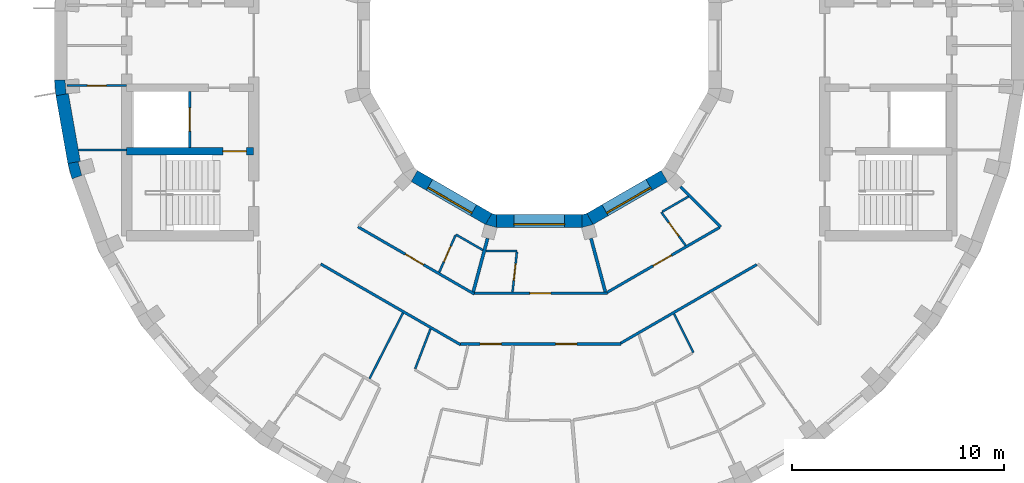
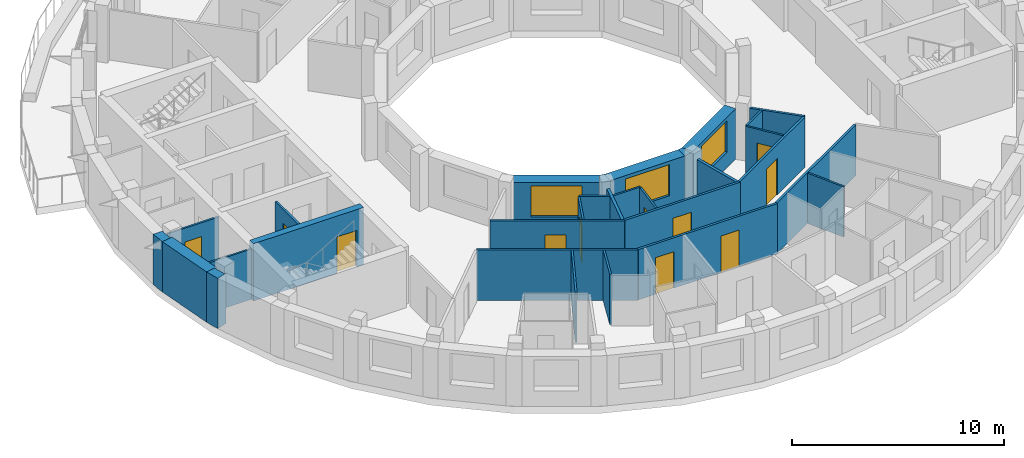
# One storey, part 5 of 12: 30 walls, 11 doors, 3 windows, 14 openings.
"""IFC4 building model written with IfcOpenShell, lengths in metres."""

from ifc_helpers import new_model, si_unit, direction, frame, frame_2d, origin, place, context, subcontext, project, spatial, polyline, rectangle, outline, extrude, material, layer, layer_set, type_object, element, fill, save


model = new_model("IFC4")

# Units and contexts
model_context = context("Model", 3, precision=1e-05, world=origin(), true_north=direction((0.0, 1.0)))
body_context = subcontext(model_context, "Body", "Model", "MODEL_VIEW")
ifc_project = project(units=[si_unit("LENGTHUNIT", "METRE"), si_unit("AREAUNIT", "SQUARE_METRE"), si_unit("VOLUMEUNIT", "CUBIC_METRE"), si_unit("PLANEANGLEUNIT", "RADIAN"), si_unit("MASSUNIT", "GRAM", prefix="KILO")], contexts=[model_context])

# Site, building, storey
site_placement = place(None, origin())
site = spatial("IfcSite", under=ifc_project, at=site_placement, CompositionType="ELEMENT")
building_placement = place(site_placement, origin())
building = spatial("IfcBuilding", under=site, at=building_placement, Name="Saqina Gate Tower", CompositionType="ELEMENT")
storey_placement = place(building_placement, frame((0.0, 0.0, 236.300048828125)))
storey = spatial("IfcBuildingStorey", under=building, at=storey_placement, Name="L67", CompositionType="ELEMENT", Elevation=236.300048828125)

# Walls
ifc_material_1 = material(Name="Brick masonry (buff)", Category="masonry")
wall_type_1 = type_object("IfcWallType", Name="BRICK PIER COPING BUFF", PredefinedType="SOLIDWALL", material=ifc_material_1)
wall_1_placement = place(storey_placement, origin())
element("IfcWall", 1, at=wall_1_placement, inside=storey, type_object=wall_type_1, Name="Pier cap L67 column 19", PredefinedType="SOLIDWALL", context=body_context, shape_type="SweptSolid", body=[
    extrude(outline(polyline([(-22.91259765625, -1.625732421875), (-22.8466796875, -2.377685546875), (-22.255859375, -2.2734375), (-22.361083984375, -2.28271484375), (-22.417724609375, -1.635009765625), (-22.3125, -1.625732421875), (-22.91259765625, -1.625732421875)])), origin(), (0.0, 0.0, 1.0), 2.89990234375),
])
wall_2_placement = place(storey_placement, origin())
element("IfcWall", 2, at=wall_2_placement, inside=storey, type_object=wall_type_1, Name="Pier cap L67 column 20", PredefinedType="SOLIDWALL", context=body_context, shape_type="SweptSolid", body=[
    extrude(outline(polyline([(-22.0869140625, -6.30859375), (-21.52294921875, -6.103515625), (-21.625, -6.130859375), (-21.793212890625, -5.5029296875), (-21.691162109375, -5.4755859375), (-22.281982421875, -5.579833984375), (-22.0869140625, -6.30859375)])), origin(), (0.0, 0.0, 1.0), 2.89990234375),
])
ifc_material_2 = material(Name="Gypsum board on steel studs", Category="steel")
ifc_layer_1 = layer(ifc_material_2, 0.10009765625)
ifc_layer_set_1 = layer_set([ifc_layer_1], Name="CORE PARTITION")
wall_type_2 = type_object("IfcWallType", Name="CORE PARTITION", PredefinedType="PARTITIONING", material=ifc_layer_set_1)
wall_3_placement = place(storey_placement, frame((-19.5, -4.949951171875, 0.0), z_axis=(0.0, 0.0, 1.0), x_axis=(-1.0, 0.0, 0.0)))
element("IfcWall", 3, at=wall_3_placement, inside=storey, type_object=wall_type_2, Name="L67-CP-W04", PredefinedType="PARTITIONING", context=body_context, shape_type="SweptSolid", body=[
    extrude(rectangle(XDim=2.283935546875, YDim=0.10009765625, at=frame_2d((1.14208984375, 0.0))), origin(), (0.0, 0.0, 1.0), 2.89990234375),
])

# Wall, opening, door
wall_4_placement = place(storey_placement, frame((-19.5, -1.89990234375, 0.0), z_axis=(0.0, 0.0, 1.0), x_axis=(-1.0, 0.0, 0.0)))
wall_4 = element("IfcWall", 4, at=wall_4_placement, inside=storey, type_object=wall_type_2, Name="L67-CP-W05", PredefinedType="PARTITIONING", context=body_context, shape_type="SweptSolid", body=[
    extrude(rectangle(XDim=2.8125, YDim=0.10009765625, at=frame_2d((1.40625, 0.0))), origin(), (0.0, 0.0, 1.0), 2.89990234375),
])
opening_1_placement = place(wall_4_placement, frame((0.956298828125, 0.0, 0.0)))
opening_1 = element("IfcOpeningElement", 5, at=opening_1_placement, cuts=wall_4, Name="Opening G19-D105", PredefinedType="OPENING", context=body_context, shape_type="SweptSolid", body=[
    extrude(rectangle(XDim=0.89990234375, YDim=2.10009765625, at=frame_2d((0.449951171875, 1.050048828125))), frame((0.0, 0.06201171875, 0.0), z_axis=(0.0, -1.0, 0.0), x_axis=(1.0, 0.0, 0.0)), (0.0, 0.0, 1.0), 0.1240234375),
])
ifc_material_3 = material(Name="Steel-framed fire door leaf, EI 60", Category="steel")
door_type_1 = type_object("IfcDoorType", Name="SERVICE ROOM DOOR 900", OperationType="SINGLE_SWING_LEFT", PredefinedType="DOOR", material=ifc_material_3)
door_1_placement = place(opening_1_placement, origin())
door_1 = element("IfcDoor", 6, at=door_1_placement, inside=storey, type_object=door_type_1, Name="L67-CD-W16", OperationType="SINGLE_SWING_RIGHT", OverallHeight=2.10009765625, OverallWidth=0.89990234375, PredefinedType="DOOR", context=body_context, shape_type="SweptSolid", body=[
    extrude(rectangle(XDim=0.89990234375, YDim=2.10009765625, at=frame_2d((0.449951171875, 1.050048828125))), frame((0.0, 0.02490234375, 0.0), z_axis=(0.0, -1.0, 0.0), x_axis=(1.0, 0.0, 0.0)), (0.0, 0.0, 1.0), 0.050048828125),
])
fill(opening_1, door_1)

# Wall
ifc_material_4 = material(Name="Glazed ceramic tile (dark blue)", Category="ceramic")
ifc_layer_2 = layer(ifc_material_4, 0.60009765625)
ifc_layer_set_2 = layer_set([ifc_layer_2], Name="FW-TILE-CB")
wall_type_3 = type_object("IfcWallType", Name="FW-TILE-CB", PredefinedType="SOLIDWALL", material=ifc_layer_set_2)
wall_5_placement = place(storey_placement, frame((-22.55126953125, -2.325439453125, 0.0), z_axis=(0.0, 0.0, 1.0), x_axis=(0.173656842178, -0.984806225186, 0.0)))
element("IfcWall", 7, at=wall_5_placement, inside=storey, type_object=wall_type_3, Name="Facade wall L67 facet 19", PredefinedType="SOLIDWALL", context=body_context, shape_type="SweptSolid", body=[
    extrude(rectangle(XDim=3.251708984375, YDim=0.60009765625, at=frame_2d((1.6259765625, 0.0))), origin(), (0.0, 0.0, 1.0), 2.89990234375),
])

# Wall, opening, window
ifc_material_5 = material(Name="Glazed ceramic tile", Category="ceramic")
ifc_layer_3 = layer(ifc_material_5, 0.60009765625)
ifc_layer_set_3 = layer_set([ifc_layer_3], Name="IW-TILE")
wall_type_4 = type_object("IfcWallType", Name="IW-TILE", PredefinedType="SOLIDWALL", material=ifc_layer_set_3)
wall_6_placement = place(storey_placement, frame((-5.907470703125, -6.17333984375, 0.0), z_axis=(0.0, 0.0, 1.0), x_axis=(0.866028316509, -0.499994954979, 0.0)))
wall_6 = element("IfcWall", 8, at=wall_6_placement, inside=storey, type_object=wall_type_4, Name="Well wall L67 facet 8", PredefinedType="SOLIDWALL", context=body_context, shape_type="SweptSolid", body=[
    extrude(rectangle(XDim=4.05859375, YDim=0.60009765625, at=frame_2d((2.029296875, 0.0))), origin(), (0.0, 0.0, 1.0), 2.89990234375),
])
opening_2_placement = place(wall_6_placement, frame((0.829345703125, 0.0, 0.89990234375)))
opening_2 = element("IfcOpeningElement", 9, at=opening_2_placement, cuts=wall_6, Name="Opening G19-W30", PredefinedType="OPENING", context=body_context, shape_type="SweptSolid", body=[
    extrude(rectangle(XDim=2.39990234375, YDim=1.800048828125, at=frame_2d((1.199951171875, 0.89990234375))), frame((0.0, 0.31201171875, 0.0), z_axis=(0.0, -1.0, 0.0), x_axis=(1.0, 0.0, 0.0)), (0.0, 0.0, 1.0), 0.6240234375),
])
ifc_material_6 = material(Name="Aluminium glazing", Category="aluminium")
window_type = type_object("IfcWindowType", Name="WN-W", PartitioningType="SINGLE_PANEL", PredefinedType="WINDOW", material=ifc_material_6)
window_1_placement = place(opening_2_placement, origin())
window_1 = element("IfcWindow", 10, at=window_1_placement, inside=storey, type_object=window_type, Name="Well window L67 facet 8", OverallHeight=1.800048828125, OverallWidth=2.39990234375, PartitioningType="SINGLE_PANEL", PredefinedType="WINDOW", context=body_context, shape_type="SweptSolid", body=[
    extrude(rectangle(XDim=2.39990234375, YDim=1.800048828125, at=frame_2d((1.199951171875, 0.89990234375))), frame((0.0, -0.119873046875, 0.0), z_axis=(0.0, -1.0, 0.0), x_axis=(1.0, 0.0, 0.0)), (0.0, 0.0, 1.0), 0.06005859375),
])
fill(opening_2, window_1)

wall_7_placement = place(storey_placement, frame((-2.029296875, -8.300048828125, 0.0), z_axis=(0.0, 0.0, 1.0), x_axis=(1.0, 0.0, 0.0)))
wall_7 = element("IfcWall", 11, at=wall_7_placement, inside=storey, type_object=wall_type_4, Name="Well wall L67 facet 9", PredefinedType="SOLIDWALL", context=body_context, shape_type="SweptSolid", body=[
    extrude(rectangle(XDim=4.05859375, YDim=0.60009765625, at=frame_2d((2.029296875, 0.0))), origin(), (0.0, 0.0, 1.0), 2.89990234375),
])
opening_3_placement = place(wall_7_placement, frame((0.829345703125, 0.0, 0.89990234375)))
opening_3 = element("IfcOpeningElement", 12, at=opening_3_placement, cuts=wall_7, Name="Opening G19-W31", PredefinedType="OPENING", context=body_context, shape_type="SweptSolid", body=[
    extrude(rectangle(XDim=2.39990234375, YDim=1.800048828125, at=frame_2d((1.199951171875, 0.89990234375))), frame((0.0, 0.31201171875, 0.0), z_axis=(0.0, -1.0, 0.0), x_axis=(1.0, 0.0, 0.0)), (0.0, 0.0, 1.0), 0.6240234375),
])
window_2_placement = place(opening_3_placement, origin())
window_2 = element("IfcWindow", 13, at=window_2_placement, inside=storey, type_object=window_type, Name="Well window L67 facet 9", OverallHeight=1.800048828125, OverallWidth=2.39990234375, PartitioningType="SINGLE_PANEL", PredefinedType="WINDOW", context=body_context, shape_type="SweptSolid", body=[
    extrude(rectangle(XDim=2.39990234375, YDim=1.800048828125, at=frame_2d((1.199951171875, 0.89990234375))), frame((0.0, -0.119873046875, 0.0), z_axis=(0.0, -1.0, 0.0), x_axis=(1.0, 0.0, 0.0)), (0.0, 0.0, 1.0), 0.06005859375),
])
fill(opening_3, window_2)

wall_8_placement = place(storey_placement, frame((2.392578125, -8.20263671875, 0.0), z_axis=(0.0, 0.0, 1.0), x_axis=(0.866028316509, 0.499994954979, 0.0)))
wall_8 = element("IfcWall", 14, at=wall_8_placement, inside=storey, type_object=wall_type_4, Name="Well wall L67 facet 10", PredefinedType="SOLIDWALL", context=body_context, shape_type="SweptSolid", body=[
    extrude(rectangle(XDim=4.05859375, YDim=0.60009765625, at=frame_2d((2.029296875, 0.0))), origin(), (0.0, 0.0, 1.0), 2.89990234375),
])
opening_4_placement = place(wall_8_placement, frame((0.829345703125, 0.0, 0.89990234375)))
opening_4 = element("IfcOpeningElement", 15, at=opening_4_placement, cuts=wall_8, Name="Opening G19-W32", PredefinedType="OPENING", context=body_context, shape_type="SweptSolid", body=[
    extrude(rectangle(XDim=2.39990234375, YDim=1.800048828125, at=frame_2d((1.199951171875, 0.89990234375))), frame((0.0, 0.31201171875, 0.0), z_axis=(0.0, -1.0, 0.0), x_axis=(1.0, 0.0, 0.0)), (0.0, 0.0, 1.0), 0.6240234375),
])
window_3_placement = place(opening_4_placement, origin())
window_3 = element("IfcWindow", 16, at=window_3_placement, inside=storey, type_object=window_type, Name="Well window L67 facet 10", OverallHeight=1.800048828125, OverallWidth=2.39990234375, PartitioningType="SINGLE_PANEL", PredefinedType="WINDOW", context=body_context, shape_type="SweptSolid", body=[
    extrude(rectangle(XDim=2.39990234375, YDim=1.800048828125, at=frame_2d((1.199951171875, 0.89990234375))), frame((0.0, -0.119873046875, 0.0), z_axis=(0.0, -1.0, 0.0), x_axis=(1.0, 0.0, 0.0)), (0.0, 0.0, 1.0), 0.06005859375),
])
fill(opening_4, window_3)

# Wall
ifc_material_7 = material(Name="Gypsum board on steel studs, 100 mm", Category="steel")
ifc_layer_4 = layer(ifc_material_7, 0.10009765625)
ifc_layer_set_4 = layer_set([ifc_layer_4], Name="PARTITION 100")
wall_type_5 = type_object("IfcWallType", Name="PARTITION 100", PredefinedType="PARTITIONING", material=ifc_layer_set_4)
wall_9_placement = place(storey_placement, frame((6.369140625, -12.687744140625, 0.0), z_axis=(0.0, 0.0, 1.0), x_axis=(0.448648311547, -0.893708393463, 0.0)))
element("IfcWall", 17, at=wall_9_placement, inside=storey, type_object=wall_type_5, Name="PARTITION PW3-07", PredefinedType="PARTITIONING", context=body_context, shape_type="SweptSolid", body=[
    extrude(rectangle(XDim=2.041259765625, YDim=0.10009765625, at=frame_2d((1.0205078125, 0.0))), origin(), (0.0, 0.0, 1.0), 2.89990234375),
])

# Wall, opening, door
wall_10_placement = place(storey_placement, frame((5.76708984375, -7.882080078125, 0.0), z_axis=(0.0, 0.0, 1.0), x_axis=(0.590418468895, -0.807097287561, 0.0)))
wall_10 = element("IfcWall", 18, at=wall_10_placement, inside=storey, type_object=wall_type_5, Name="PARTITION PW3-11", PredefinedType="PARTITIONING", context=body_context, shape_type="SweptSolid", body=[
    extrude(rectangle(XDim=1.94921875, YDim=0.10009765625, at=frame_2d((0.974609375, 0.0))), origin(), (0.0, 0.0, 1.0), 2.89990234375),
])
opening_5_placement = place(wall_10_placement, frame((0.606201171875, 0.0, 0.0)))
opening_5 = element("IfcOpeningElement", 19, at=opening_5_placement, cuts=wall_10, Name="Opening G19-D44", PredefinedType="OPENING", context=body_context, shape_type="SweptSolid", body=[
    extrude(rectangle(XDim=0.800048828125, YDim=2.10009765625, at=frame_2d((0.39990234375, 1.050048828125))), frame((0.0, 0.06201171875, 0.0), z_axis=(0.0, -1.0, 0.0), x_axis=(1.0, 0.0, 0.0)), (0.0, 0.0, 1.0), 0.1240234375),
])
ifc_material_8 = material(Name="Timber door leaf, 800 mm", Category="wood")
door_type_2 = type_object("IfcDoorType", Name="DOOR 800 TIMBER", OperationType="SINGLE_SWING_LEFT", PredefinedType="DOOR", material=ifc_material_8)
door_2_placement = place(opening_5_placement, frame((0.800048828125, 0.0, 0.0), z_axis=(0.0, 0.0, 1.0), x_axis=(-1.0, 0.0, 0.0)))
door_2 = element("IfcDoor", 20, at=door_2_placement, inside=storey, type_object=door_type_2, Name="DOOR G19-D44", OperationType="SINGLE_SWING_LEFT", OverallHeight=2.10009765625, OverallWidth=0.800048828125, PredefinedType="DOOR", context=body_context, shape_type="SweptSolid", body=[
    extrude(rectangle(XDim=0.800048828125, YDim=2.10009765625, at=frame_2d((0.39990234375, 1.050048828125))), frame((0.0, 0.02490234375, 0.0), z_axis=(0.0, -1.0, 0.0), x_axis=(1.0, 0.0, 0.0)), (0.0, 0.0, 1.0), 0.050048828125),
])
fill(opening_5, door_2)

# Walls
wall_11_placement = place(storey_placement, frame((-3.943115234375, -8.93603515625, 0.0), z_axis=(0.0, 0.0, 1.0), x_axis=(0.866083503307, -0.499899355171, 0.0)))
element("IfcWall", 21, at=wall_11_placement, inside=storey, type_object=wall_type_5, Name="PARTITION PW3-16", PredefinedType="PARTITIONING", context=body_context, shape_type="SweptSolid", body=[
    extrude(rectangle(XDim=1.473388671875, YDim=0.10009765625, at=frame_2d((0.73681640625, 0.0))), origin(), (0.0, 0.0, 1.0), 2.89990234375),
])
wall_12_placement = place(storey_placement, frame((-2.527099609375, -9.7099609375, 0.0), z_axis=(0.0, 0.0, 1.0), x_axis=(1.0, 0.0, 0.0)))
element("IfcWall", 22, at=wall_12_placement, inside=storey, type_object=wall_type_5, Name="PARTITION PW3-26", PredefinedType="PARTITIONING", context=body_context, shape_type="SweptSolid", body=[
    extrude(rectangle(XDim=1.47314453125, YDim=0.10009765625, at=frame_2d((0.736572265625, 0.0))), origin(), (0.0, 0.0, 1.0), 2.89990234375),
])
wall_13_placement = place(storey_placement, frame((5.810302734375, -7.85693359375, 0.0), z_axis=(0.0, 0.0, 1.0), x_axis=(0.866100656052, 0.499869636591, 0.0)))
element("IfcWall", 23, at=wall_13_placement, inside=storey, type_object=wall_type_5, Name="PARTITION PW3-36", PredefinedType="PARTITIONING", context=body_context, shape_type="SweptSolid", body=[
    extrude(rectangle(XDim=1.43603515625, YDim=0.10009765625, at=frame_2d((0.718017578125, 0.0))), origin(), (0.0, 0.0, 1.0), 2.89990234375),
])
wall_14_placement = place(storey_placement, frame((-8.023681640625, -15.747314453125, 0.0), z_axis=(0.0, 0.0, 1.0), x_axis=(0.453766079843, 0.891120836242, 0.0)))
element("IfcWall", 24, at=wall_14_placement, inside=storey, type_object=wall_type_5, Name="PARTITION PW3-43", PredefinedType="PARTITIONING", context=body_context, shape_type="SweptSolid", body=[
    extrude(rectangle(XDim=3.48095703125, YDim=0.10009765625, at=frame_2d((1.740478515625, 0.0))), origin(), (0.0, 0.0, 1.0), 2.89990234375),
])

# Wall, opening, door
wall_15_placement = place(storey_placement, frame((-4.729736328125, -10.71875, 0.0), z_axis=(0.0, 0.0, 1.0), x_axis=(0.403751002976, 0.914868912794, 0.0)))
wall_15 = element("IfcWall", 25, at=wall_15_placement, inside=storey, type_object=wall_type_5, Name="PARTITION PW3-45", PredefinedType="PARTITIONING", context=body_context, shape_type="SweptSolid", body=[
    extrude(rectangle(XDim=1.898681640625, YDim=0.10009765625, at=frame_2d((0.94921875, 0.0))), origin(), (0.0, 0.0, 1.0), 2.89990234375),
])
opening_6_placement = place(wall_15_placement, frame((0.543212890625, 0.0, 0.0)))
opening_6 = element("IfcOpeningElement", 26, at=opening_6_placement, cuts=wall_15, Name="Opening G19-D27", PredefinedType="OPENING", context=body_context, shape_type="SweptSolid", body=[
    extrude(rectangle(XDim=0.800048828125, YDim=2.10009765625, at=frame_2d((0.39990234375, 1.050048828125))), frame((0.0, 0.06201171875, 0.0), z_axis=(0.0, -1.0, 0.0), x_axis=(1.0, 0.0, 0.0)), (0.0, 0.0, 1.0), 0.1240234375),
])
door_3_placement = place(opening_6_placement, origin())
door_3 = element("IfcDoor", 27, at=door_3_placement, inside=storey, type_object=door_type_2, Name="DOOR G19-D27", OperationType="SINGLE_SWING_LEFT", OverallHeight=2.10009765625, OverallWidth=0.800048828125, PredefinedType="DOOR", context=body_context, shape_type="SweptSolid", body=[
    extrude(rectangle(XDim=0.800048828125, YDim=2.10009765625, at=frame_2d((0.39990234375, 1.050048828125))), frame((0.0, 0.02490234375, 0.0), z_axis=(0.0, -1.0, 0.0), x_axis=(1.0, 0.0, 0.0)), (0.0, 0.0, 1.0), 0.050048828125),
])
fill(opening_6, door_3)

# Wall
wall_16_placement = place(storey_placement, frame((-5.86474609375, -15.275146484375, 0.0), z_axis=(0.0, 0.0, 1.0), x_axis=(0.358857215778, 0.93339246766, 0.0)))
element("IfcWall", 28, at=wall_16_placement, inside=storey, type_object=wall_type_5, Name="PARTITION PW3-46", PredefinedType="PARTITIONING", context=body_context, shape_type="SweptSolid", body=[
    extrude(rectangle(XDim=2.013671875, YDim=0.10009765625, at=frame_2d((1.0068359375, 0.0))), origin(), (0.0, 0.0, 1.0), 2.89990234375),
])

# Wall, opening, door
wall_17_placement = place(storey_placement, frame((-1.26416015625, -11.64794921875, 0.0), z_axis=(0.0, 0.0, 1.0), x_axis=(0.107849279517, 0.994167256003, 0.0)))
wall_17 = element("IfcWall", 29, at=wall_17_placement, inside=storey, type_object=wall_type_5, Name="PARTITION PW3-53", PredefinedType="PARTITIONING", context=body_context, shape_type="SweptSolid", body=[
    extrude(rectangle(XDim=1.899169921875, YDim=0.10009765625, at=frame_2d((0.94970703125, 0.0))), origin(), (0.0, 0.0, 1.0), 2.89990234375),
])
opening_7_placement = place(wall_17_placement, frame((0.54345703125, 0.0, 0.0)))
opening_7 = element("IfcOpeningElement", 30, at=opening_7_placement, cuts=wall_17, Name="Opening G19-D32", PredefinedType="OPENING", context=body_context, shape_type="SweptSolid", body=[
    extrude(rectangle(XDim=0.800048828125, YDim=2.10009765625, at=frame_2d((0.39990234375, 1.050048828125))), frame((0.0, 0.06201171875, 0.0), z_axis=(0.0, -1.0, 0.0), x_axis=(1.0, 0.0, 0.0)), (0.0, 0.0, 1.0), 0.1240234375),
])
door_4_placement = place(opening_7_placement, frame((0.800048828125, 0.0, 0.0), z_axis=(0.0, 0.0, 1.0), x_axis=(-1.0, 0.0, 0.0)))
door_4 = element("IfcDoor", 31, at=door_4_placement, inside=storey, type_object=door_type_2, Name="DOOR G19-D32", OperationType="SINGLE_SWING_RIGHT", OverallHeight=2.10009765625, OverallWidth=0.800048828125, PredefinedType="DOOR", context=body_context, shape_type="SweptSolid", body=[
    extrude(rectangle(XDim=0.800048828125, YDim=2.10009765625, at=frame_2d((0.39990234375, 1.050048828125))), frame((0.0, 0.02490234375, 0.0), z_axis=(0.0, -1.0, 0.0), x_axis=(1.0, 0.0, 0.0)), (0.0, 0.0, 1.0), 0.050048828125),
])
fill(opening_7, door_4)

# Walls
ifc_material_9 = material(Name="Gypsum board on steel studs, 125 mm, fire rated", Category="steel")
ifc_layer_5 = layer(ifc_material_9, 0.125)
ifc_layer_set_5 = layer_set([ifc_layer_5], Name="PARTITION EI 30 125")
wall_type_6 = type_object("IfcWallType", Name="PARTITION EI 30 125", PredefinedType="PARTITIONING", material=ifc_layer_set_5)
wall_18_placement = place(storey_placement, frame((6.6767578125, -6.6767578125, 0.0), z_axis=(0.0, 0.0, 1.0), x_axis=(0.707106781187, -0.707106781187, 0.0)))
element("IfcWall", 32, at=wall_18_placement, inside=storey, type_object=wall_type_6, Name="PARTITION PW1-06", PredefinedType="PARTITIONING", context=body_context, shape_type="SweptSolid", body=[
    extrude(rectangle(XDim=2.680419921875, YDim=0.125, at=frame_2d((1.34033203125, 0.0))), origin(), (0.0, 0.0, 1.0), 2.89990234375),
])
wall_19_placement = place(storey_placement, frame((-10.3291015625, -10.3291015625, 0.0), z_axis=(0.0, 0.0, 1.0), x_axis=(0.866010352672, -0.500026068385, 0.0)))
element("IfcWall", 33, at=wall_19_placement, inside=storey, type_object=wall_type_6, Name="PARTITION PW1-09", PredefinedType="PARTITIONING", context=body_context, shape_type="SweptSolid", body=[
    extrude(rectangle(XDim=7.63330078125, YDim=0.125, at=frame_2d((3.816650390625, 0.0))), origin(), (0.0, 0.0, 1.0), 2.89990234375),
])

# Wall, opening, door
wall_20_placement = place(storey_placement, frame((-8.572021484375, -8.572021484375, 0.0), z_axis=(0.0, 0.0, 1.0), x_axis=(0.865983161714, -0.500073158277, 0.0)))
wall_20 = element("IfcWall", 34, at=wall_20_placement, inside=storey, type_object=wall_type_6, Name="PARTITION PW1-10", PredefinedType="PARTITIONING", context=body_context, shape_type="SweptSolid", body=[
    extrude(rectangle(XDim=6.34716796875, YDim=0.125, at=frame_2d((3.173583984375, 0.0))), origin(), (0.0, 0.0, 1.0), 2.89990234375),
])
opening_8_placement = place(wall_20_placement, frame((2.586669921875, 0.0, 0.0)))
opening_8 = element("IfcOpeningElement", 35, at=opening_8_placement, cuts=wall_20, Name="Opening G19-D26", PredefinedType="OPENING", context=body_context, shape_type="SweptSolid", body=[
    extrude(rectangle(XDim=1.0, YDim=2.10009765625, at=frame_2d((0.5, 1.050048828125))), frame((0.0, 0.074462890625, 0.0), z_axis=(0.0, -1.0, 0.0), x_axis=(1.0, 0.0, 0.0)), (0.0, 0.0, 1.0), 0.14892578125),
])
ifc_material_10 = material(Name="Fire door leaf EI 30, 1000 mm")
door_type_3 = type_object("IfcDoorType", Name="DOOR 1000 EI 30", OperationType="SINGLE_SWING_LEFT", PredefinedType="DOOR", material=ifc_material_10)
door_5_placement = place(opening_8_placement, origin())
door_5 = element("IfcDoor", 36, at=door_5_placement, inside=storey, type_object=door_type_3, Name="DOOR G19-D26", OperationType="SINGLE_SWING_LEFT", OverallHeight=2.10009765625, OverallWidth=1.0, PredefinedType="DOOR", context=body_context, shape_type="SweptSolid", body=[
    extrude(rectangle(XDim=1.0, YDim=2.10009765625, at=frame_2d((0.5, 1.050048828125))), frame((0.0, 0.02490234375, 0.0), z_axis=(0.0, -1.0, 0.0), x_axis=(1.0, 0.0, 0.0)), (0.0, 0.0, 1.0), 0.050048828125),
])
fill(opening_8, door_5)

# Wall, openings, doors
wall_21_placement = place(storey_placement, frame((-3.718505859375, -14.110107421875, 0.0), z_axis=(0.0, 0.0, 1.0), x_axis=(1.0, 0.0, 0.0)))
wall_21 = element("IfcWall", 37, at=wall_21_placement, inside=storey, type_object=wall_type_6, Name="PARTITION PW1-17", PredefinedType="PARTITIONING", context=body_context, shape_type="SweptSolid", body=[
    extrude(rectangle(XDim=7.57177734375, YDim=0.125, at=frame_2d((3.785888671875, 0.0))), origin(), (0.0, 0.0, 1.0), 2.89990234375),
])
opening_9_placement = place(wall_21_placement, frame((0.926025390625, 0.0, 0.0)))
opening_9 = element("IfcOpeningElement", 38, at=opening_9_placement, cuts=wall_21, Name="Opening G19-D31", PredefinedType="OPENING", context=body_context, shape_type="SweptSolid", body=[
    extrude(rectangle(XDim=1.0, YDim=2.10009765625, at=frame_2d((0.5, 1.050048828125))), frame((0.0, 0.074462890625, 0.0), z_axis=(0.0, -1.0, 0.0), x_axis=(1.0, 0.0, 0.0)), (0.0, 0.0, 1.0), 0.14892578125),
])
opening_10_placement = place(wall_21_placement, frame((4.491943359375, 0.0, 0.0)))
opening_10 = element("IfcOpeningElement", 39, at=opening_10_placement, cuts=wall_21, Name="Opening G19-D36", PredefinedType="OPENING", context=body_context, shape_type="SweptSolid", body=[
    extrude(rectangle(XDim=1.0, YDim=2.10009765625, at=frame_2d((0.5, 1.050048828125))), frame((0.0, 0.074462890625, 0.0), z_axis=(0.0, -1.0, 0.0), x_axis=(1.0, 0.0, 0.0)), (0.0, 0.0, 1.0), 0.14892578125),
])
door_6_placement = place(opening_9_placement, frame((1.0, 0.0, 0.0), z_axis=(0.0, 0.0, 1.0), x_axis=(-1.0, 0.0, 0.0)))
door_6 = element("IfcDoor", 40, at=door_6_placement, inside=storey, type_object=door_type_3, Name="DOOR G19-D31", OperationType="SINGLE_SWING_LEFT", OverallHeight=2.10009765625, OverallWidth=1.0, PredefinedType="DOOR", context=body_context, shape_type="SweptSolid", body=[
    extrude(rectangle(XDim=1.0, YDim=2.10009765625, at=frame_2d((0.5, 1.050048828125))), frame((0.0, 0.02490234375, 0.0), z_axis=(0.0, -1.0, 0.0), x_axis=(1.0, 0.0, 0.0)), (0.0, 0.0, 1.0), 0.050048828125),
])
fill(opening_9, door_6)
door_7_placement = place(opening_10_placement, frame((1.0, 0.0, 0.0), z_axis=(0.0, 0.0, 1.0), x_axis=(-1.0, 0.0, 0.0)))
door_7 = element("IfcDoor", 41, at=door_7_placement, inside=storey, type_object=door_type_3, Name="DOOR G19-D36", OperationType="SINGLE_SWING_LEFT", OverallHeight=2.10009765625, OverallWidth=1.0, PredefinedType="DOOR", context=body_context, shape_type="SweptSolid", body=[
    extrude(rectangle(XDim=1.0, YDim=2.10009765625, at=frame_2d((0.5, 1.050048828125))), frame((0.0, 0.02490234375, 0.0), z_axis=(0.0, -1.0, 0.0), x_axis=(1.0, 0.0, 0.0)), (0.0, 0.0, 1.0), 0.050048828125),
])
fill(opening_10, door_7)

# Wall, opening, door
wall_22_placement = place(storey_placement, frame((-3.075439453125, -11.7099609375, 0.0), z_axis=(0.0, 0.0, 1.0), x_axis=(1.0, 0.0, 0.0)))
wall_22 = element("IfcWall", 42, at=wall_22_placement, inside=storey, type_object=wall_type_6, Name="PARTITION PW1-18", PredefinedType="PARTITIONING", context=body_context, shape_type="SweptSolid", body=[
    extrude(rectangle(XDim=6.300048828125, YDim=0.125, at=frame_2d((3.14990234375, 0.0))), origin(), (0.0, 0.0, 1.0), 2.89990234375),
])
opening_11_placement = place(wall_22_placement, frame((2.6259765625, 0.0, 0.0)))
opening_11 = element("IfcOpeningElement", 43, at=opening_11_placement, cuts=wall_22, Name="Opening G19-D35", PredefinedType="OPENING", context=body_context, shape_type="SweptSolid", body=[
    extrude(rectangle(XDim=1.0, YDim=2.10009765625, at=frame_2d((0.5, 1.050048828125))), frame((0.0, 0.074462890625, 0.0), z_axis=(0.0, -1.0, 0.0), x_axis=(1.0, 0.0, 0.0)), (0.0, 0.0, 1.0), 0.14892578125),
])
door_8_placement = place(opening_11_placement, origin())
door_8 = element("IfcDoor", 44, at=door_8_placement, inside=storey, type_object=door_type_3, Name="DOOR G19-D35", OperationType="SINGLE_SWING_LEFT", OverallHeight=2.10009765625, OverallWidth=1.0, PredefinedType="DOOR", context=body_context, shape_type="SweptSolid", body=[
    extrude(rectangle(XDim=1.0, YDim=2.10009765625, at=frame_2d((0.5, 1.050048828125))), frame((0.0, 0.02490234375, 0.0), z_axis=(0.0, -1.0, 0.0), x_axis=(1.0, 0.0, 0.0)), (0.0, 0.0, 1.0), 0.050048828125),
])
fill(opening_11, door_8)

# Wall
wall_23_placement = place(storey_placement, frame((3.835205078125, -14.078857421875, 0.0), z_axis=(0.0, 0.0, 1.0), x_axis=(0.865993671729, 0.500054957505, 0.0)))
element("IfcWall", 45, at=wall_23_placement, inside=storey, type_object=wall_type_6, Name="PARTITION PW1-25", PredefinedType="PARTITIONING", context=body_context, shape_type="SweptSolid", body=[
    extrude(rectangle(XDim=7.436279296875, YDim=0.125, at=frame_2d((3.71826171875, 0.0))), origin(), (0.0, 0.0, 1.0), 2.89990234375),
])

# Wall, opening, door
wall_24_placement = place(storey_placement, frame((3.202880859375, -11.672607421875, 0.0), z_axis=(0.0, 0.0, 1.0), x_axis=(0.865972267571, 0.50009202333, 0.0)))
wall_24 = element("IfcWall", 46, at=wall_24_placement, inside=storey, type_object=wall_type_6, Name="PARTITION PW1-26", PredefinedType="PARTITIONING", context=body_context, shape_type="SweptSolid", body=[
    extrude(rectangle(XDim=6.137451171875, YDim=0.125, at=frame_2d((3.06884765625, 0.0))), origin(), (0.0, 0.0, 1.0), 2.89990234375),
])
opening_12_placement = place(wall_24_placement, frame((2.51171875, 0.0, 0.0)))
opening_12 = element("IfcOpeningElement", 47, at=opening_12_placement, cuts=wall_24, Name="Opening G19-D41", PredefinedType="OPENING", context=body_context, shape_type="SweptSolid", body=[
    extrude(rectangle(XDim=1.0, YDim=2.10009765625, at=frame_2d((0.5, 1.050048828125))), frame((0.0, 0.074462890625, 0.0), z_axis=(0.0, -1.0, 0.0), x_axis=(1.0, 0.0, 0.0)), (0.0, 0.0, 1.0), 0.14892578125),
])
door_9_placement = place(opening_12_placement, origin())
door_9 = element("IfcDoor", 48, at=door_9_placement, inside=storey, type_object=door_type_3, Name="DOOR G19-D41", OperationType="SINGLE_SWING_LEFT", OverallHeight=2.10009765625, OverallWidth=1.0, PredefinedType="DOOR", context=body_context, shape_type="SweptSolid", body=[
    extrude(rectangle(XDim=1.0, YDim=2.10009765625, at=frame_2d((0.5, 1.050048828125))), frame((0.0, 0.02490234375, 0.0), z_axis=(0.0, -1.0, 0.0), x_axis=(1.0, 0.0, 0.0)), (0.0, 0.0, 1.0), 0.050048828125),
])
fill(opening_12, door_9)

# Walls
ifc_material_11 = material(Name="Gypsum board on steel studs, 150 mm, fire rated", Category="steel")
ifc_layer_6 = layer(ifc_material_11, 0.14990234375)
ifc_layer_set_6 = layer_set([ifc_layer_6], Name="PARTITION EI 60 150")
wall_type_7 = type_object("IfcWallType", Name="PARTITION EI 60 150", PredefinedType="PARTITIONING", material=ifc_layer_set_6)
for number, where, z_axis, x_axis, name in (
    (49, (2.444091796875, -9.120361328125, 0.0), (0.0, 0.0, 1.0), (0.258823078531, -0.965924745526, 0.0), "PARTITION PW2-04"),
    (50, (-3.12158203125, -11.649658203125, 0.0), (0.0, 0.0, 1.0), (0.258736085224, 0.965948051503, 0.0), "PARTITION PW2-09"),
):
    element("IfcWall", number, at=place(storey_placement, frame(where, z_axis=z_axis, x_axis=x_axis)), inside=storey, type_object=wall_type_7, Name=name, PredefinedType="PARTITIONING", context=body_context, shape_type="SweptSolid", body=[
        extrude(rectangle(XDim=2.618408203125, YDim=0.14990234375, at=frame_2d((1.30908203125, 0.0))), origin(), (0.0, 0.0, 1.0), 2.89990234375),
    ])

# Wall, opening, door
ifc_material_12 = material(Name="Autoclaved aerated concrete block", Category="concrete")
ifc_layer_7 = layer(ifc_material_12, 0.1201171875)
ifc_layer_set_7 = layer_set([ifc_layer_7], Name="SHAFT PARTITION")
wall_type_8 = type_object("IfcWallType", Name="SHAFT PARTITION", PredefinedType="PARTITIONING", material=ifc_layer_set_7)
wall_25_placement = place(storey_placement, frame((-16.530029296875, -4.824951171875, 0.0), z_axis=(0.0, 0.0, 1.0), x_axis=(0.0, 1.0, 0.0)))
wall_25 = element("IfcWall", 51, at=wall_25_placement, inside=storey, type_object=wall_type_8, Name="L67-CP-W09", PredefinedType="PARTITIONING", context=body_context, shape_type="SweptSolid", body=[
    extrude(rectangle(XDim=2.64990234375, YDim=0.1201171875, at=frame_2d((1.324951171875, 0.0))), origin(), (0.0, 0.0, 1.0), 2.89990234375),
])
opening_13_placement = place(wall_25_placement, frame((0.77490234375, 0.0, 0.0)))
opening_13 = element("IfcOpeningElement", 52, at=opening_13_placement, cuts=wall_25, Name="Opening G19-LD6", PredefinedType="OPENING", context=body_context, shape_type="SweptSolid", body=[
    extrude(rectangle(XDim=1.10009765625, YDim=2.10009765625, at=frame_2d((0.550048828125, 1.050048828125))), frame((0.0, 0.072021484375, 0.0), z_axis=(0.0, -1.0, 0.0), x_axis=(1.0, 0.0, 0.0)), (0.0, 0.0, 1.0), 0.14404296875),
])
ifc_material_13 = material(Name="Stainless steel", Category="steel")
door_type_4 = type_object("IfcDoorType", Name="LANDING DOOR", OperationType="DOUBLE_DOOR_SLIDING", PredefinedType="DOOR", material=ifc_material_13)
door_10_placement = place(opening_13_placement, origin())
door_10 = element("IfcDoor", 53, at=door_10_placement, inside=storey, type_object=door_type_4, Name="LANDING DOOR FF2", OperationType="DOUBLE_DOOR_SLIDING", OverallHeight=2.10009765625, OverallWidth=1.10009765625, PredefinedType="DOOR", context=body_context, shape_type="SweptSolid", body=[
    extrude(rectangle(XDim=1.10009765625, YDim=2.10009765625, at=frame_2d((0.550048828125, 1.050048828125))), frame((0.0, 0.02490234375, 0.0), z_axis=(0.0, -1.0, 0.0), x_axis=(1.0, 0.0, 0.0)), (0.0, 0.0, 1.0), 0.050048828125),
])
fill(opening_13, door_10)

ifc_material_14 = material(Name="Concrete C60/75", Category="concrete")
ifc_layer_8 = layer(ifc_material_14, 0.35009765625)
ifc_layer_set_8 = layer_set([ifc_layer_8], Name="Concrete C60/75")
wall_type_9 = type_object("IfcWallType", Name="STR-CORE WALL-D-I", PredefinedType="SHEAR", material=ifc_layer_set_8)
wall_26_placement = place(storey_placement, frame((-13.5, -5.0, 0.0), z_axis=(0.0, 0.0, 1.0), x_axis=(-1.0, 0.0, 0.0)))
wall_26 = element("IfcWall", 54, at=wall_26_placement, inside=storey, type_object=wall_type_9, Name="CORE WALL L67 W-X2", PredefinedType="SHEAR", context=body_context, shape_type="SweptSolid", body=[
    extrude(rectangle(XDim=6.0, YDim=0.35009765625, at=frame_2d((3.0, 0.0))), origin(), (0.0, 0.0, 1.0), 3.300048828125),
])
opening_14_placement = place(wall_26_placement, frame((0.35009765625, 0.0, 0.0)))
opening_14 = element("IfcOpeningElement", 55, at=opening_14_placement, cuts=wall_26, Name="Opening G19-D108", PredefinedType="OPENING", context=body_context, shape_type="SweptSolid", body=[
    extrude(rectangle(XDim=1.10009765625, YDim=2.10009765625, at=frame_2d((0.550048828125, 1.050048828125))), frame((0.0, 0.18701171875, 0.0), z_axis=(0.0, -1.0, 0.0), x_axis=(1.0, 0.0, 0.0)), (0.0, 0.0, 1.0), 0.3740234375),
])
ifc_material_15 = material(Name="Steel", Category="steel")
door_type_5 = type_object("IfcDoorType", Name="FIRE LOBBY DOOR EI 60 WIDE", OperationType="SINGLE_SWING_LEFT", PredefinedType="DOOR", material=ifc_material_15)
door_11_placement = place(opening_14_placement, origin())
door_11 = element("IfcDoor", 56, at=door_11_placement, inside=storey, type_object=door_type_5, Name="L67-CD-W19", OperationType="SINGLE_SWING_LEFT", OverallHeight=2.10009765625, OverallWidth=1.10009765625, PredefinedType="DOOR", context=body_context, shape_type="SweptSolid", body=[
    extrude(rectangle(XDim=1.10009765625, YDim=2.10009765625, at=frame_2d((0.550048828125, 1.050048828125))), frame((0.0, 0.02490234375, 0.0), z_axis=(0.0, -1.0, 0.0), x_axis=(1.0, 0.0, 0.0)), (0.0, 0.0, 1.0), 0.050048828125),
])
fill(opening_14, door_11)

# Walls
ifc_material_16 = material(Name="Glazed ceramic tile", Category="ceramic")
wall_type_10 = type_object("IfcWallType", Name="TILE PIER COPING", PredefinedType="SOLIDWALL", material=ifc_material_16)
wall_27_placement = place(storey_placement, origin())
element("IfcWall", 57, at=wall_27_placement, inside=storey, type_object=wall_type_10, Name="Well pier cap L67 column 9", PredefinedType="SOLIDWALL", context=body_context, shape_type="SweptSolid", body=[
    extrude(outline(polyline([(-2.029296875, -8.60009765625), (-2.029296875, -8.0), (-2.242431640625, -7.94287109375), (-2.54248046875, -8.46240234375), (-2.029296875, -8.60009765625)])), origin(), (0.0, 0.0, 1.0), 2.89990234375),
])
wall_28_placement = place(storey_placement, origin())
element("IfcWall", 58, at=wall_28_placement, inside=storey, type_object=wall_type_10, Name="Well pier cap L67 column 10", PredefinedType="SOLIDWALL", context=body_context, shape_type="SweptSolid", body=[
    extrude(outline(polyline([(2.54248046875, -8.46240234375), (2.242431640625, -7.94287109375), (2.029296875, -8.0), (2.029296875, -8.60009765625), (2.54248046875, -8.46240234375)])), origin(), (0.0, 0.0, 1.0), 2.89990234375),
])

save(model, "model.ifc")
